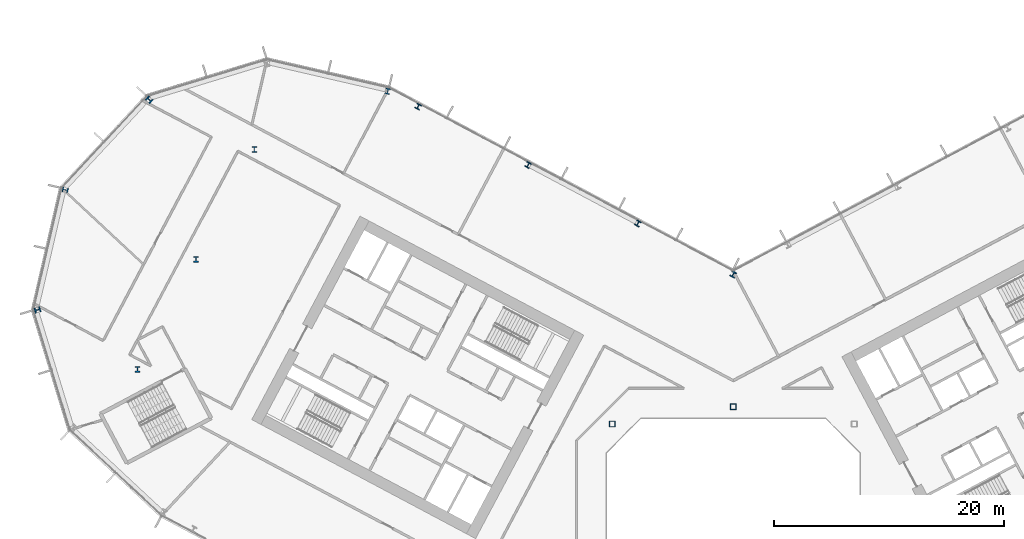
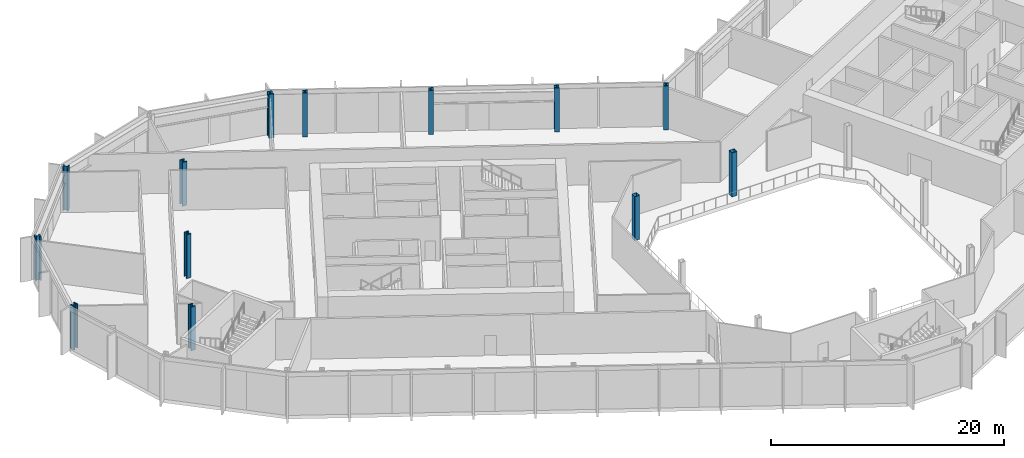
# One storey, part 2 of 31: 13 columns.
"""IFC4 building model written with IfcOpenShell, lengths in metres."""

from ifc_helpers import new_model, si_unit, direction, frame, origin, origin_2d, place, context, subcontext, project, spatial, hollow_rectangle, i_section, extrude, material, material_profile, profile_set, type_object, element, save


model = new_model("IFC4")

# Units and contexts
model_context = context("Model", 3, precision=1e-05, world=origin(), true_north=direction((0.0, 1.0)))
body_context = subcontext(model_context, "Body", "Model", "MODEL_VIEW")
ifc_project = project(units=[si_unit("LENGTHUNIT", "METRE"), si_unit("AREAUNIT", "SQUARE_METRE"), si_unit("VOLUMEUNIT", "CUBIC_METRE"), si_unit("PLANEANGLEUNIT", "RADIAN"), si_unit("MASSUNIT", "GRAM", prefix="KILO")], contexts=[model_context])

# Site, building, storey
site_placement = place(None, origin())
site = spatial("IfcSite", under=ifc_project, at=site_placement, CompositionType="ELEMENT")
building_placement = place(site_placement, origin())
building = spatial("IfcBuilding", under=site, at=building_placement, Name="Cormorant Relay Tower", CompositionType="ELEMENT")
storey_placement = place(building_placement, frame((0.0, 0.0, 103.0)))
storey = spatial("IfcBuildingStorey", under=building, at=storey_placement, Name="L20", CompositionType="ELEMENT", Elevation=103.0)

# Columns
ifc_material_1 = material(Name="Steel ASTM A500 Grade C (Fy 345 MPa)", Category="steel")
ifc_material_profile_1 = material_profile(ifc_material_1, hollow_rectangle(XDim=0.508056640625, YDim=0.508056640625, WallThickness=0.020751953125, InnerFilletRadius=0.01025390625, OuterFilletRadius=0.031005859375, at=origin_2d()), Name="HSS508x508x21")
ifc_profile_set_1 = profile_set([ifc_material_profile_1], Name="Steel ASTM A500 Grade C (Fy 345 MPa)")
column_type_1 = type_object("IfcColumnType", Name="Column HSS508x508x21", PredefinedType="COLUMN", material=ifc_profile_set_1)
for number, where, z_axis, x_axis, name in (
    (1, (-10.5, 10.5, 0.0), (0.0, 0.0, 1.0), (1.0, 0.0, 0.0), "Column L20-022"),
    (2, (0.0, 12.0, 0.0), (0.0, 0.0, 1.0), (1.0, 0.0, 0.0), "Column L20-024"),
):
    element("IfcColumn", number, at=place(storey_placement, frame(where, z_axis=z_axis, x_axis=x_axis)), inside=storey, type_object=column_type_1, Name=name, PredefinedType="COLUMN", context=body_context, shape_type="SweptSolid", body=[
        extrude(hollow_rectangle(XDim=0.508056640625, YDim=0.508056640625, WallThickness=0.020751953125, InnerFilletRadius=0.01025390625, OuterFilletRadius=0.031005859375, at=origin_2d()), origin(), (0.0, 0.0, 1.0), 4.60009765625),
    ])
ifc_material_2 = material(Name="Steel ASTM A992 (Fy 345 MPa)", Category="steel")
ifc_material_profile_2 = material_profile(ifc_material_2, i_section(OverallWidth=0.42431640625, OverallDepth=0.47509765625, WebThickness=0.0478515625, FlangeThickness=0.0771484375, FilletRadius=0.014892578125, at=origin_2d()), Name="W360x634")
ifc_profile_set_2 = profile_set([ifc_material_profile_2], Name="Steel ASTM A992 (Fy 345 MPa)")
column_type_2 = type_object("IfcColumnType", Name="Column W360x634", PredefinedType="COLUMN", material=ifc_profile_set_2)
for number, where, z_axis, x_axis, name in (
    (3, (-8.26611328125, 27.906982421875, 0.0), (0.0, 0.0, 1.0), (-0.882947592859, 0.469471562786, 0.0), "Column L20-036"),
    (4, (-17.802001953125, 32.97802734375, 0.0), (0.0, 0.0, 1.0), (-0.882947592859, 0.469471562786, 0.0), "Column L20-041"),
    (5, (-27.337890625, 38.048095703125, 0.0), (0.0, 0.0, 1.0), (-0.882947592859, 0.469471562786, 0.0), "Column L20-046"),
):
    element("IfcColumn", number, at=place(storey_placement, frame(where, z_axis=z_axis, x_axis=x_axis)), inside=storey, type_object=column_type_2, Name=name, PredefinedType="COLUMN", context=body_context, shape_type="SweptSolid", body=[
        extrude(i_section(OverallWidth=0.42431640625, OverallDepth=0.47509765625, WebThickness=0.0478515625, FlangeThickness=0.0771484375, FilletRadius=0.014892578125, at=origin_2d()), origin(), (0.0, 0.0, 1.0), 4.60009765625),
    ])
ifc_material_3 = material(Name="Steel ASTM A992 (Fy 345 MPa)", Category="steel")
ifc_material_profile_3 = material_profile(ifc_material_3, i_section(OverallWidth=0.43701171875, OverallDepth=0.51318359375, WebThickness=0.060546875, FlangeThickness=0.096923828125, FilletRadius=0.015380859375, at=origin_2d()), Name="W360x818")
ifc_profile_set_3 = profile_set([ifc_material_profile_3], Name="Steel ASTM A992 (Fy 345 MPa)")
column_type_3 = type_object("IfcColumnType", Name="Column W360x818", PredefinedType="COLUMN", material=ifc_profile_set_3)
for number, where, z_axis, x_axis, name in (
    (6, (-51.68994140625, 15.251953125, 0.0), (0.0, 0.0, 1.0), (1.0, 0.0, 0.0), "Column L20-027"),
    (7, (-60.3701171875, 20.406005859375, 0.0), (0.0, 0.0, 1.0), (0.292371704723, -0.956304755963, 0.0), "Column L20-030"),
    (8, (0.0, 23.48388671875, 0.0), (0.0, 0.0, 1.0), (-0.882947592859, 0.469471562786, 0.0), "Column L20-032"),
    (9, (-46.6201171875, 24.7880859375, 0.0), (0.0, 0.0, 1.0), (1.0, 0.0, 0.0), "Column L20-034"),
    (10, (-57.966064453125, 30.821044921875, 0.0), (0.0, 0.0, 1.0), (-0.224951054344, -0.974370064785, 0.0), "Column L20-038"),
    (11, (-41.549072265625, 34.323974609375, 0.0), (0.0, 0.0, 1.0), (1.0, 0.0, 0.0), "Column L20-043"),
    (12, (-50.675048828125, 38.637939453125, 0.0), (0.0, 0.0, 1.0), (-0.681998360062, -0.731353701619, 0.0), "Column L20-047"),
    (13, (-29.98193359375, 39.3779296875, 0.0), (0.0, 0.0, 1.0), (-0.974370064785, 0.224951054344, 0.0), "Column L20-048"),
):
    element("IfcColumn", number, at=place(storey_placement, frame(where, z_axis=z_axis, x_axis=x_axis)), inside=storey, type_object=column_type_3, Name=name, PredefinedType="COLUMN", context=body_context, shape_type="SweptSolid", body=[
        extrude(i_section(OverallWidth=0.43701171875, OverallDepth=0.51318359375, WebThickness=0.060546875, FlangeThickness=0.096923828125, FilletRadius=0.015380859375, at=origin_2d()), origin(), (0.0, 0.0, 1.0), 4.60009765625),
    ])

save(model, "model.ifc")
